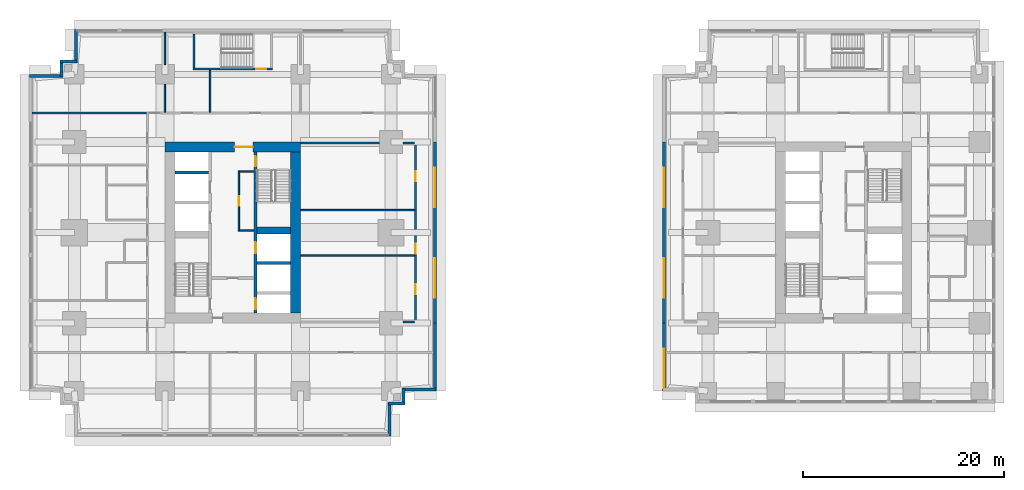
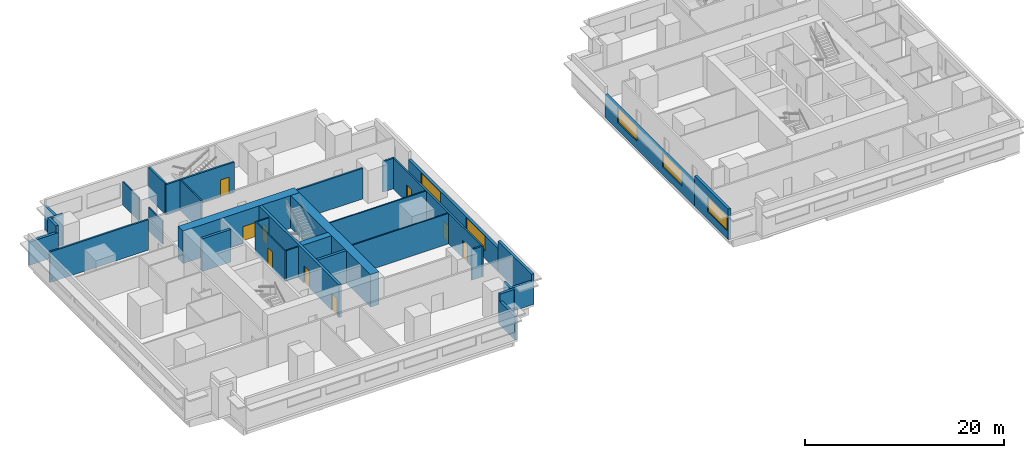
# One storey, part 4 of 11: 33 walls, 9 doors, 5 windows, 14 openings.
"""IFC4 building model written with IfcOpenShell, lengths in metres."""

from ifc_helpers import new_model, si_unit, direction, frame, frame_2d, origin, place, context, subcontext, project, spatial, rectangle, extrude, material, layer, layer_set, type_object, element, fill, save


model = new_model("IFC4")

# Units and contexts
model_context = context("Model", 3, precision=1e-05, world=origin(), true_north=direction((0.0, 1.0)))
body_context = subcontext(model_context, "Body", "Model", "MODEL_VIEW")
ifc_project = project(units=[si_unit("LENGTHUNIT", "METRE"), si_unit("AREAUNIT", "SQUARE_METRE"), si_unit("VOLUMEUNIT", "CUBIC_METRE"), si_unit("PLANEANGLEUNIT", "RADIAN"), si_unit("MASSUNIT", "GRAM", prefix="KILO")], contexts=[model_context])

# Site, building, storey
site_placement = place(None, origin())
site = spatial("IfcSite", under=ifc_project, at=site_placement, CompositionType="ELEMENT")
building_placement = place(site_placement, origin())
building = spatial("IfcBuilding", under=site, at=building_placement, Name="Namib Vertical Campus", CompositionType="ELEMENT")
storey_placement = place(building_placement, frame((0.0, 0.0, 101.0)))
storey = spatial("IfcBuildingStorey", under=building, at=storey_placement, Name="L23", CompositionType="ELEMENT", Elevation=101.0)

# Wall, openings, doors
ifc_material_1 = material(Name="Concrete C60/75", Category="concrete")
ifc_layer_1 = layer(ifc_material_1, 0.300048828125)
ifc_layer_set_1 = layer_set([ifc_layer_1], Name="Concrete C60/75")
wall_type_1 = type_object("IfcWallType", Name="Core inner wall 300", PredefinedType="SHEAR", material=ifc_layer_set_1)
wall_1_placement = place(storey_placement, frame((22.5, 12.25, 0.0), z_axis=(0.0, 0.0, 1.0), x_axis=(0.0, 1.0, 0.0)))
wall_1 = element("IfcWall", 1, at=wall_1_placement, inside=storey, type_object=wall_type_1, Name="Core inner wall A L23 W2", PredefinedType="SHEAR", context=body_context, shape_type="SweptSolid", body=[
    extrude(rectangle(XDim=16.0, YDim=0.300048828125, at=frame_2d((8.0, 0.0))), origin(), (0.0, 0.0, 1.0), 4.0),
])
opening_1_placement = place(wall_1_placement, frame((14.60009765625, 0.0, 0.0)))
opening_1 = element("IfcOpeningElement", 2, at=opening_1_placement, cuts=wall_1, Name="Opening FD1", PredefinedType="OPENING", context=body_context, shape_type="SweptSolid", body=[
    extrude(rectangle(XDim=1.0, YDim=2.10009765625, at=frame_2d((0.5, 1.050048828125))), frame((0.0, 0.159912109375, 0.0), z_axis=(0.0, -1.0, 0.0), x_axis=(1.0, 0.0, 0.0)), (0.0, 0.0, 1.0), 0.320068359375),
])
opening_2_placement = place(wall_1_placement, frame((0.375, 0.0, 0.0)))
opening_2 = element("IfcOpeningElement", 3, at=opening_2_placement, cuts=wall_1, Name="Opening LD1", PredefinedType="OPENING", context=body_context, shape_type="SweptSolid", body=[
    extrude(rectangle(XDim=1.10009765625, YDim=2.10009765625, at=frame_2d((0.550048828125, 1.050048828125))), frame((0.0, 0.159912109375, 0.0), z_axis=(0.0, -1.0, 0.0), x_axis=(1.0, 0.0, 0.0)), (0.0, 0.0, 1.0), 0.320068359375),
])
opening_3_placement = place(wall_1_placement, frame((5.949951171875, 0.0, 0.0)))
opening_3 = element("IfcOpeningElement", 4, at=opening_3_placement, cuts=wall_1, Name="Opening LD1", PredefinedType="OPENING", context=body_context, shape_type="SweptSolid", body=[
    extrude(rectangle(XDim=1.10009765625, YDim=2.10009765625, at=frame_2d((0.550048828125, 1.050048828125))), frame((0.0, 0.159912109375, 0.0), z_axis=(0.0, -1.0, 0.0), x_axis=(1.0, 0.0, 0.0)), (0.0, 0.0, 1.0), 0.320068359375),
])
ifc_material_2 = material(Name="Steel fire door", Category="steel")
door_type_1 = type_object("IfcDoorType", Name="Fire door 1000x2100", OperationType="SINGLE_SWING_RIGHT", PredefinedType="DOOR", material=ifc_material_2)
door_1_placement = place(opening_1_placement, frame((1.0, 0.0, 0.0), z_axis=(0.0, 0.0, 1.0), x_axis=(-1.0, 0.0, 0.0)))
door_1 = element("IfcDoor", 5, at=door_1_placement, inside=storey, type_object=door_type_1, Name="Stair door FD1 A L23 S2", OperationType="SINGLE_SWING_LEFT", OverallHeight=2.10009765625, OverallWidth=1.0, PredefinedType="DOOR", context=body_context, shape_type="SweptSolid", body=[
    extrude(rectangle(XDim=1.0, YDim=2.10009765625, at=frame_2d((0.5, 1.050048828125))), frame((0.0, 0.02490234375, 0.0), z_axis=(0.0, -1.0, 0.0), x_axis=(1.0, 0.0, 0.0)), (0.0, 0.0, 1.0), 0.050048828125),
])
fill(opening_1, door_1)
ifc_material_3 = material(Name="Stainless steel lift door", Category="steel")
door_type_2 = type_object("IfcDoorType", Name="Lift landing door 1100x2100", OperationType="DOUBLE_DOOR_SLIDING", PredefinedType="DOOR", material=ifc_material_3)
door_2_placement = place(opening_2_placement, origin())
door_2 = element("IfcDoor", 6, at=door_2_placement, inside=storey, type_object=door_type_2, Name="Lift landing door LD1 A-FL1 L23", OperationType="DOUBLE_DOOR_SLIDING", OverallHeight=2.10009765625, OverallWidth=1.10009765625, PredefinedType="DOOR", context=body_context, shape_type="SweptSolid", body=[
    extrude(rectangle(XDim=1.10009765625, YDim=2.10009765625, at=frame_2d((0.550048828125, 1.050048828125))), frame((0.0, 0.02490234375, 0.0), z_axis=(0.0, -1.0, 0.0), x_axis=(1.0, 0.0, 0.0)), (0.0, 0.0, 1.0), 0.050048828125),
])
fill(opening_2, door_2)
door_3_placement = place(opening_3_placement, origin())
door_3 = element("IfcDoor", 7, at=door_3_placement, inside=storey, type_object=door_type_2, Name="Lift landing door LD1 A-P5 L23", OperationType="DOUBLE_DOOR_SLIDING", OverallHeight=2.10009765625, OverallWidth=1.10009765625, PredefinedType="DOOR", context=body_context, shape_type="SweptSolid", body=[
    extrude(rectangle(XDim=1.10009765625, YDim=2.10009765625, at=frame_2d((0.550048828125, 1.050048828125))), frame((0.0, 0.02490234375, 0.0), z_axis=(0.0, -1.0, 0.0), x_axis=(1.0, 0.0, 0.0)), (0.0, 0.0, 1.0), 0.050048828125),
])
fill(opening_3, door_3)

# Walls
for number, where, z_axis, x_axis, name in (
    (8, (22.64990234375, 17.25, 0.0), (0.0, 0.0, 1.0), (1.0, 0.0, 0.0), "Core inner wall A L23 W6"),
    (9, (14.5, 26.25, 0.0), (0.0, 0.0, 1.0), (1.0, 0.0, 0.0), "Core inner wall A L23 W9"),
):
    element("IfcWall", number, at=place(storey_placement, frame(where, z_axis=z_axis, x_axis=x_axis)), inside=storey, type_object=wall_type_1, Name=name, PredefinedType="SHEAR", context=body_context, shape_type="SweptSolid", body=[
        extrude(rectangle(XDim=3.35009765625, YDim=0.300048828125, at=frame_2d((1.675048828125, 0.0))), origin(), (0.0, 0.0, 1.0), 4.0),
    ])
ifc_material_4 = material(Name="Concrete C60/75", Category="concrete")
ifc_layer_2 = layer(ifc_material_4, 0.699951171875)
ifc_layer_set_2 = layer_set([ifc_layer_2], Name="Concrete C60/75")
wall_type_2 = type_object("IfcWallType", Name="Core shear wall 700", PredefinedType="SHEAR", material=ifc_layer_set_2)
wall_2_placement = place(storey_placement, frame((22.64990234375, 20.449951171875, 0.0), z_axis=(0.0, 0.0, 1.0), x_axis=(1.0, 0.0, 0.0)))
element("IfcWall", 10, at=wall_2_placement, inside=storey, type_object=wall_type_2, Name="Core shear wall A L23 W7", PredefinedType="SHEAR", context=body_context, shape_type="SweptSolid", body=[
    extrude(rectangle(XDim=3.35009765625, YDim=0.699951171875, at=frame_2d((1.675048828125, 0.0))), origin(), (0.0, 0.0, 1.0), 4.0),
])
ifc_material_5 = material(Name="Concrete C60/75", Category="concrete")
ifc_layer_3 = layer(ifc_material_5, 1.0)
ifc_layer_set_3 = layer_set([ifc_layer_3], Name="Concrete C60/75")
wall_type_3 = type_object("IfcWallType", Name="Core wall 1000", PredefinedType="SHEAR", material=ifc_layer_set_3)
wall_3_placement = place(storey_placement, frame((26.5, 12.25, 0.0), z_axis=(0.0, 0.0, 1.0), x_axis=(0.0, 1.0, 0.0)))
element("IfcWall", 11, at=wall_3_placement, inside=storey, type_object=wall_type_3, Name="Core wall A L23 2", PredefinedType="SHEAR", context=body_context, shape_type="SweptSolid", body=[
    extrude(rectangle(XDim=16.0, YDim=1.0, at=frame_2d((8.0, 0.0))), origin(), (0.0, 0.0, 1.0), 4.0),
])

# Wall, opening, door
wall_4_placement = place(storey_placement, frame((27.0, 28.75, 0.0), z_axis=(0.0, 0.0, 1.0), x_axis=(-1.0, 0.0, 0.0)))
wall_4 = element("IfcWall", 12, at=wall_4_placement, inside=storey, type_object=wall_type_3, Name="Core wall A L23 3", PredefinedType="SHEAR", context=body_context, shape_type="SweptSolid", body=[
    extrude(rectangle(XDim=13.5, YDim=1.0, at=frame_2d((6.75, 0.0))), origin(), (0.0, 0.0, 1.0), 4.0),
])
opening_4_placement = place(wall_4_placement, frame((4.75, 0.0, 0.0)))
opening_4 = element("IfcOpeningElement", 13, at=opening_4_placement, cuts=wall_4, Name="Opening FD2", PredefinedType="OPENING", context=body_context, shape_type="SweptSolid", body=[
    extrude(rectangle(XDim=1.800048828125, YDim=2.10009765625, at=frame_2d((0.89990234375, 1.050048828125))), frame((0.0, 0.510009765625, 0.0), z_axis=(0.0, -1.0, 0.0), x_axis=(1.0, 0.0, 0.0)), (0.0, 0.0, 1.0), 1.02001953125),
])
ifc_material_6 = material(Name="Steel fire door", Category="steel")
door_type_3 = type_object("IfcDoorType", Name="Fire door double 1800x2100", OperationType="DOUBLE_DOOR_SINGLE_SWING", PredefinedType="DOOR", material=ifc_material_6)
door_4_placement = place(opening_4_placement, origin())
door_4 = element("IfcDoor", 14, at=door_4_placement, inside=storey, type_object=door_type_3, Name="Lift lobby door FD2 A L23", OperationType="DOUBLE_DOOR_SINGLE_SWING", OverallHeight=2.10009765625, OverallWidth=1.800048828125, PredefinedType="DOOR", context=body_context, shape_type="SweptSolid", body=[
    extrude(rectangle(XDim=1.800048828125, YDim=2.10009765625, at=frame_2d((0.89990234375, 1.050048828125))), frame((0.0, 0.02490234375, 0.0), z_axis=(0.0, -1.0, 0.0), x_axis=(1.0, 0.0, 0.0)), (0.0, 0.0, 1.0), 0.050048828125),
])
fill(opening_4, door_4)

# Wall, openings, doors
ifc_material_7 = material(Name="Concrete masonry", Category="masonry")
ifc_layer_4 = layer(ifc_material_7, 0.199951171875)
ifc_layer_set_4 = layer_set([ifc_layer_4], Name="Corridor wall 200")
wall_type_4 = type_object("IfcWallType", Name="Corridor wall 200", PredefinedType="SOLIDWALL", material=ifc_layer_set_4)
wall_5_placement = place(storey_placement, frame((38.449951171875, 11.25, 0.0), z_axis=(0.0, 0.0, 1.0), x_axis=(0.0, 1.0, 0.0)))
wall_5 = element("IfcWall", 15, at=wall_5_placement, inside=storey, type_object=wall_type_4, Name="Corridor wall A L23 CG", PredefinedType="SOLIDWALL", context=body_context, shape_type="SweptSolid", body=[
    extrude(rectangle(XDim=18.0, YDim=0.199951171875, at=frame_2d((9.0, 0.0))), origin(), (0.0, 0.0, 1.0), 3.75),
])
opening_5_placement = place(wall_5_placement, frame((2.875, 0.0, 0.0)))
opening_5 = element("IfcOpeningElement", 16, at=opening_5_placement, cuts=wall_5, Name="Opening CD1", PredefinedType="OPENING", context=body_context, shape_type="SweptSolid", body=[
    extrude(rectangle(XDim=1.0, YDim=2.10009765625, at=frame_2d((0.5, 1.050048828125))), frame((0.0, 0.10986328125, 0.0), z_axis=(0.0, -1.0, 0.0), x_axis=(1.0, 0.0, 0.0)), (0.0, 0.0, 1.0), 0.219970703125),
])
opening_6_placement = place(wall_5_placement, frame((6.89990234375, 0.0, 0.0)))
opening_6 = element("IfcOpeningElement", 17, at=opening_6_placement, cuts=wall_5, Name="Opening CD1", PredefinedType="OPENING", context=body_context, shape_type="SweptSolid", body=[
    extrude(rectangle(XDim=1.0, YDim=2.10009765625, at=frame_2d((0.5, 1.050048828125))), frame((0.0, 0.10986328125, 0.0), z_axis=(0.0, -1.0, 0.0), x_axis=(1.0, 0.0, 0.0)), (0.0, 0.0, 1.0), 0.219970703125),
])
opening_7_placement = place(wall_5_placement, frame((14.125, 0.0, 0.0)))
opening_7 = element("IfcOpeningElement", 18, at=opening_7_placement, cuts=wall_5, Name="Opening CD1", PredefinedType="OPENING", context=body_context, shape_type="SweptSolid", body=[
    extrude(rectangle(XDim=1.0, YDim=2.10009765625, at=frame_2d((0.5, 1.050048828125))), frame((0.0, 0.10986328125, 0.0), z_axis=(0.0, -1.0, 0.0), x_axis=(1.0, 0.0, 0.0)), (0.0, 0.0, 1.0), 0.219970703125),
])
ifc_material_8 = material(Name="Timber fire door leaf", Category="wood")
door_type_4 = type_object("IfcDoorType", Name="Corridor door 1000x2100 20 min", OperationType="SINGLE_SWING_LEFT", PredefinedType="DOOR", material=ifc_material_8)
door_5_placement = place(opening_5_placement, origin())
door_5 = element("IfcDoor", 19, at=door_5_placement, inside=storey, type_object=door_type_4, Name="Door CD1 A23-04", OperationType="SINGLE_SWING_LEFT", OverallHeight=2.10009765625, OverallWidth=1.0, PredefinedType="DOOR", context=body_context, shape_type="SweptSolid", body=[
    extrude(rectangle(XDim=1.0, YDim=2.10009765625, at=frame_2d((0.5, 1.050048828125))), frame((0.0, 0.02490234375, 0.0), z_axis=(0.0, -1.0, 0.0), x_axis=(1.0, 0.0, 0.0)), (0.0, 0.0, 1.0), 0.050048828125),
])
fill(opening_5, door_5)
door_6_placement = place(opening_6_placement, origin())
door_6 = element("IfcDoor", 20, at=door_6_placement, inside=storey, type_object=door_type_4, Name="Door CD1 A23-05", OperationType="SINGLE_SWING_LEFT", OverallHeight=2.10009765625, OverallWidth=1.0, PredefinedType="DOOR", context=body_context, shape_type="SweptSolid", body=[
    extrude(rectangle(XDim=1.0, YDim=2.10009765625, at=frame_2d((0.5, 1.050048828125))), frame((0.0, 0.02490234375, 0.0), z_axis=(0.0, -1.0, 0.0), x_axis=(1.0, 0.0, 0.0)), (0.0, 0.0, 1.0), 0.050048828125),
])
fill(opening_6, door_6)
door_7_placement = place(opening_7_placement, origin())
door_7 = element("IfcDoor", 21, at=door_7_placement, inside=storey, type_object=door_type_4, Name="Door CD1 A23-06", OperationType="SINGLE_SWING_LEFT", OverallHeight=2.10009765625, OverallWidth=1.0, PredefinedType="DOOR", context=body_context, shape_type="SweptSolid", body=[
    extrude(rectangle(XDim=1.0, YDim=2.10009765625, at=frame_2d((0.5, 1.050048828125))), frame((0.0, 0.02490234375, 0.0), z_axis=(0.0, -1.0, 0.0), x_axis=(1.0, 0.0, 0.0)), (0.0, 0.0, 1.0), 0.050048828125),
])
fill(opening_7, door_7)

# Walls
wall_6_placement = place(storey_placement, frame((37.169921875, 11.35009765625, 0.0), z_axis=(0.0, 0.0, 1.0), x_axis=(1.0, 0.0, 0.0)))
element("IfcWall", 22, at=wall_6_placement, inside=storey, type_object=wall_type_4, Name="Corridor wall A L23 GS", PredefinedType="SOLIDWALL", context=body_context, shape_type="SweptSolid", body=[
    extrude(rectangle(XDim=1.18017578125, YDim=0.199951171875, at=frame_2d((0.590087890625, 0.0))), origin(), (0.0, 0.0, 1.0), 3.75),
])
wall_7_placement = place(storey_placement, frame((27.0, 29.14990234375, 0.0), z_axis=(0.0, 0.0, 1.0), x_axis=(1.0, 0.0, 0.0)))
element("IfcWall", 23, at=wall_7_placement, inside=storey, type_object=wall_type_4, Name="Corridor wall A L23 GN", PredefinedType="SOLIDWALL", context=body_context, shape_type="SweptSolid", body=[
    extrude(rectangle(XDim=7.830078125, YDim=0.199951171875, at=frame_2d((3.9150390625, 0.0))), origin(), (0.0, 0.0, 1.0), 3.75),
])
wall_8_placement = place(storey_placement, frame((37.169921875, 29.14990234375, 0.0), z_axis=(0.0, 0.0, 1.0), x_axis=(1.0, 0.0, 0.0)))
element("IfcWall", 24, at=wall_8_placement, inside=storey, type_object=wall_type_4, Name="Corridor wall A L23 GN", PredefinedType="SOLIDWALL", context=body_context, shape_type="SweptSolid", body=[
    extrude(rectangle(XDim=1.18017578125, YDim=0.199951171875, at=frame_2d((0.590087890625, 0.0))), origin(), (0.0, 0.0, 1.0), 3.75),
])
wall_9_placement = place(storey_placement, frame((0.300048828125, 32.14990234375, 0.0), z_axis=(0.0, 0.0, 1.0), x_axis=(1.0, 0.0, 0.0)))
element("IfcWall", 25, at=wall_9_placement, inside=storey, type_object=wall_type_4, Name="Partition A L23 BNW", PredefinedType="SOLIDWALL", context=body_context, shape_type="SweptSolid", body=[
    extrude(rectangle(XDim=11.39990234375, YDim=0.199951171875, at=frame_2d((5.699951171875, 0.0))), origin(), (0.0, 0.0, 1.0), 3.75),
])
ifc_material_9 = material(Name="Concrete C40/50", Category="concrete")
ifc_layer_5 = layer(ifc_material_9, 0.300048828125)
ifc_layer_set_5 = layer_set([ifc_layer_5], Name="Concrete C40/50")
wall_type_5 = type_object("IfcWallType", Name="External wall 300 board-marked concrete", PredefinedType="STANDARD", material=ifc_layer_set_5)
wall_10_placement = place(storey_placement, frame((35.85009765625, 0.02001953125, 0.0), z_axis=(0.0, 0.0, 1.0), x_axis=(0.0, 1.0, 0.0)))
element("IfcWall", 26, at=wall_10_placement, inside=storey, type_object=wall_type_5, Name="External wall L23 F02", PredefinedType="STANDARD", context=body_context, shape_type="SweptSolid", body=[
    extrude(rectangle(XDim=3.35986328125, YDim=0.300048828125, at=frame_2d((1.679931640625, 0.0))), origin(), (0.0, 0.0, 1.0), 2.85009765625),
])
for number, where, z_axis, x_axis, name in (
    (27, (35.719970703125, 3.25, 0.0), (0.0, 0.0, 1.0), (1.0, 0.0, 0.0), "External wall L23 F03"),
    (28, (37.25, 3.1201171875, 0.0), (0.0, 0.0, 1.0), (0.0, 1.0, 0.0), "External wall L23 F04"),
):
    element("IfcWall", number, at=place(storey_placement, frame(where, z_axis=z_axis, x_axis=x_axis)), inside=storey, type_object=wall_type_5, Name=name, PredefinedType="STANDARD", context=body_context, shape_type="SweptSolid", body=[
        extrude(rectangle(XDim=1.659912109375, YDim=0.300048828125, at=frame_2d((0.830078125, 0.0))), origin(), (0.0, 0.0, 1.0), 3.75),
    ])
wall_11_placement = place(storey_placement, frame((37.1201171875, 4.64990234375, 0.0), z_axis=(0.0, 0.0, 1.0), x_axis=(1.0, 0.0, 0.0)))
element("IfcWall", 29, at=wall_11_placement, inside=storey, type_object=wall_type_5, Name="External wall L23 F05", PredefinedType="STANDARD", context=body_context, shape_type="SweptSolid", body=[
    extrude(rectangle(XDim=3.35986328125, YDim=0.300048828125, at=frame_2d((1.679931640625, 0.0))), origin(), (0.0, 0.0, 1.0), 2.85009765625),
])
wall_12_placement = place(storey_placement, frame((40.35009765625, 4.52001953125, 0.0), z_axis=(0.0, 0.0, 1.0), x_axis=(0.0, 1.0, 0.0)))
element("IfcWall", 30, at=wall_12_placement, inside=storey, type_object=wall_type_5, Name="External wall L23 F06", PredefinedType="STANDARD", context=body_context, shape_type="SweptSolid", body=[
    extrude(rectangle(XDim=6.72998046875, YDim=0.300048828125, at=frame_2d((3.364990234375, 0.0))), origin(), (0.0, 0.0, 1.0), 3.75),
])
wall_13_placement = place(storey_placement, frame((4.64990234375, 40.47998046875, 0.0), z_axis=(0.0, 0.0, 1.0), x_axis=(0.0, -1.0, 0.0)))
element("IfcWall", 31, at=wall_13_placement, inside=storey, type_object=wall_type_5, Name="External wall L23 F12", PredefinedType="STANDARD", context=body_context, shape_type="SweptSolid", body=[
    extrude(rectangle(XDim=3.35986328125, YDim=0.300048828125, at=frame_2d((1.679931640625, 0.0))), origin(), (0.0, 0.0, 1.0), 2.85009765625),
])
for number, where, z_axis, x_axis, name in (
    (32, (4.780029296875, 37.25, 0.0), (0.0, 0.0, 1.0), (-1.0, 0.0, 0.0), "External wall L23 F13"),
    (33, (3.25, 37.3798828125, 0.0), (0.0, 0.0, 1.0), (0.0, -1.0, 0.0), "External wall L23 F14"),
):
    element("IfcWall", number, at=place(storey_placement, frame(where, z_axis=z_axis, x_axis=x_axis)), inside=storey, type_object=wall_type_5, Name=name, PredefinedType="STANDARD", context=body_context, shape_type="SweptSolid", body=[
        extrude(rectangle(XDim=1.659912109375, YDim=0.300048828125, at=frame_2d((0.830078125, 0.0))), origin(), (0.0, 0.0, 1.0), 3.75),
    ])
wall_14_placement = place(storey_placement, frame((3.3798828125, 35.85009765625, 0.0), z_axis=(0.0, 0.0, 1.0), x_axis=(-1.0, 0.0, 0.0)))
element("IfcWall", 34, at=wall_14_placement, inside=storey, type_object=wall_type_5, Name="External wall L23 F15", PredefinedType="STANDARD", context=body_context, shape_type="SweptSolid", body=[
    extrude(rectangle(XDim=3.35986328125, YDim=0.300048828125, at=frame_2d((1.679931640625, 0.0))), origin(), (0.0, 0.0, 1.0), 2.85009765625),
])

# Wall, openings, windows
wall_15_placement = place(storey_placement, frame((40.35009765625, 11.25, 0.0), z_axis=(0.0, 0.0, 1.0), x_axis=(0.0, 1.0, 0.0)))
wall_15 = element("IfcWall", 35, at=wall_15_placement, inside=storey, type_object=wall_type_5, Name="External wall L23 F06", PredefinedType="STANDARD", context=body_context, shape_type="SweptSolid", body=[
    extrude(rectangle(XDim=18.0, YDim=0.300048828125, at=frame_2d((9.0, 0.0))), origin(), (0.0, 0.0, 1.0), 2.82958984375),
])
opening_8_placement = place(wall_15_placement, frame((2.550048828125, 0.0, 0.949951171875)))
opening_8 = element("IfcOpeningElement", 36, at=opening_8_placement, cuts=wall_15, Name="Opening W3", PredefinedType="OPENING", context=body_context, shape_type="SweptSolid", body=[
    extrude(rectangle(XDim=3.89990234375, YDim=1.800048828125, at=frame_2d((1.949951171875, 0.89990234375))), frame((0.0, 0.159912109375, 0.0), z_axis=(0.0, -1.0, 0.0), x_axis=(1.0, 0.0, 0.0)), (0.0, 0.0, 1.0), 0.320068359375),
])
opening_9_placement = place(wall_15_placement, frame((11.550048828125, 0.0, 0.949951171875)))
opening_9 = element("IfcOpeningElement", 37, at=opening_9_placement, cuts=wall_15, Name="Opening W3", PredefinedType="OPENING", context=body_context, shape_type="SweptSolid", body=[
    extrude(rectangle(XDim=3.89990234375, YDim=1.800048828125, at=frame_2d((1.949951171875, 0.89990234375))), frame((0.0, 0.159912109375, 0.0), z_axis=(0.0, -1.0, 0.0), x_axis=(1.0, 0.0, 0.0)), (0.0, 0.0, 1.0), 0.320068359375),
])
ifc_material_10 = material(Name="Dark tinted glass in black aluminium frame", Category="aluminium")
window_type = type_object("IfcWindowType", Name="Ribbon window 3900x1800", PartitioningType="SINGLE_PANEL", PredefinedType="WINDOW", material=ifc_material_10)
window_1_placement = place(opening_8_placement, origin())
window_1 = element("IfcWindow", 38, at=window_1_placement, inside=storey, type_object=window_type, Name="Window W3 L23 F06-3", OverallHeight=1.800048828125, OverallWidth=3.89990234375, PartitioningType="SINGLE_PANEL", PredefinedType="WINDOW", context=body_context, shape_type="SweptSolid", body=[
    extrude(rectangle(XDim=3.89990234375, YDim=1.800048828125, at=frame_2d((1.949951171875, 0.89990234375))), frame((0.0, 0.030029296875, 0.0), z_axis=(0.0, -1.0, 0.0), x_axis=(1.0, 0.0, 0.0)), (0.0, 0.0, 1.0), 0.06005859375),
])
fill(opening_8, window_1)
window_2_placement = place(opening_9_placement, origin())
window_2 = element("IfcWindow", 39, at=window_2_placement, inside=storey, type_object=window_type, Name="Window W3 L23 F06-5", OverallHeight=1.800048828125, OverallWidth=3.89990234375, PartitioningType="SINGLE_PANEL", PredefinedType="WINDOW", context=body_context, shape_type="SweptSolid", body=[
    extrude(rectangle(XDim=3.89990234375, YDim=1.800048828125, at=frame_2d((1.949951171875, 0.89990234375))), frame((0.0, 0.030029296875, 0.0), z_axis=(0.0, -1.0, 0.0), x_axis=(1.0, 0.0, 0.0)), (0.0, 0.0, 1.0), 0.06005859375),
])
fill(opening_9, window_2)

wall_16_placement = place(storey_placement, frame((63.14990234375, 29.25, 0.0), z_axis=(0.0, 0.0, 1.0), x_axis=(0.0, -1.0, 0.0)))
wall_16 = element("IfcWall", 40, at=wall_16_placement, inside=storey, type_object=wall_type_5, Name="External wall L23 F12", PredefinedType="STANDARD", context=body_context, shape_type="SweptSolid", body=[
    extrude(rectangle(XDim=18.0, YDim=0.300048828125, at=frame_2d((9.0, 0.0))), origin(), (0.0, 0.0, 1.0), 2.82958984375),
])
opening_10_placement = place(wall_16_placement, frame((11.550048828125, 0.0, 0.949951171875)))
opening_10 = element("IfcOpeningElement", 41, at=opening_10_placement, cuts=wall_16, Name="Opening W3", PredefinedType="OPENING", context=body_context, shape_type="SweptSolid", body=[
    extrude(rectangle(XDim=3.89990234375, YDim=1.800048828125, at=frame_2d((1.949951171875, 0.89990234375))), frame((0.0, 0.159912109375, 0.0), z_axis=(0.0, -1.0, 0.0), x_axis=(1.0, 0.0, 0.0)), (0.0, 0.0, 1.0), 0.320068359375),
])
opening_11_placement = place(wall_16_placement, frame((2.550048828125, 0.0, 0.949951171875)))
opening_11 = element("IfcOpeningElement", 42, at=opening_11_placement, cuts=wall_16, Name="Opening W3", PredefinedType="OPENING", context=body_context, shape_type="SweptSolid", body=[
    extrude(rectangle(XDim=3.89990234375, YDim=1.800048828125, at=frame_2d((1.949951171875, 0.89990234375))), frame((0.0, 0.159912109375, 0.0), z_axis=(0.0, -1.0, 0.0), x_axis=(1.0, 0.0, 0.0)), (0.0, 0.0, 1.0), 0.320068359375),
])
window_3_placement = place(opening_10_placement, origin())
window_3 = element("IfcWindow", 43, at=window_3_placement, inside=storey, type_object=window_type, Name="Window W3 L23 F12-3", OverallHeight=1.800048828125, OverallWidth=3.89990234375, PartitioningType="SINGLE_PANEL", PredefinedType="WINDOW", context=body_context, shape_type="SweptSolid", body=[
    extrude(rectangle(XDim=3.89990234375, YDim=1.800048828125, at=frame_2d((1.949951171875, 0.89990234375))), frame((0.0, 0.030029296875, 0.0), z_axis=(0.0, -1.0, 0.0), x_axis=(1.0, 0.0, 0.0)), (0.0, 0.0, 1.0), 0.06005859375),
])
fill(opening_10, window_3)
window_4_placement = place(opening_11_placement, origin())
window_4 = element("IfcWindow", 44, at=window_4_placement, inside=storey, type_object=window_type, Name="Window W3 L23 F12-5", OverallHeight=1.800048828125, OverallWidth=3.89990234375, PartitioningType="SINGLE_PANEL", PredefinedType="WINDOW", context=body_context, shape_type="SweptSolid", body=[
    extrude(rectangle(XDim=3.89990234375, YDim=1.800048828125, at=frame_2d((1.949951171875, 0.89990234375))), frame((0.0, 0.030029296875, 0.0), z_axis=(0.0, -1.0, 0.0), x_axis=(1.0, 0.0, 0.0)), (0.0, 0.0, 1.0), 0.06005859375),
])
fill(opening_11, window_4)

# Wall, opening, window
wall_17_placement = place(storey_placement, frame((63.14990234375, 11.25, 0.0), z_axis=(0.0, 0.0, 1.0), x_axis=(0.0, -1.0, 0.0)))
wall_17 = element("IfcWall", 45, at=wall_17_placement, inside=storey, type_object=wall_type_5, Name="External wall L23 F12", PredefinedType="STANDARD", context=body_context, shape_type="SweptSolid", body=[
    extrude(rectangle(XDim=6.72998046875, YDim=0.300048828125, at=frame_2d((3.364990234375, 0.0))), origin(), (0.0, 0.0, 1.0), 3.75),
])
opening_12_placement = place(wall_17_placement, frame((2.550048828125, 0.0, 0.949951171875)))
opening_12 = element("IfcOpeningElement", 46, at=opening_12_placement, cuts=wall_17, Name="Opening W3", PredefinedType="OPENING", context=body_context, shape_type="SweptSolid", body=[
    extrude(rectangle(XDim=3.89990234375, YDim=1.800048828125, at=frame_2d((1.949951171875, 0.89990234375))), frame((0.0, 0.159912109375, 0.0), z_axis=(0.0, -1.0, 0.0), x_axis=(1.0, 0.0, 0.0)), (0.0, 0.0, 1.0), 0.320068359375),
])
window_5_placement = place(opening_12_placement, origin())
window_5 = element("IfcWindow", 47, at=window_5_placement, inside=storey, type_object=window_type, Name="Window W3 L23 F12-1", OverallHeight=1.800048828125, OverallWidth=3.89990234375, PartitioningType="SINGLE_PANEL", PredefinedType="WINDOW", context=body_context, shape_type="SweptSolid", body=[
    extrude(rectangle(XDim=3.89990234375, YDim=1.800048828125, at=frame_2d((1.949951171875, 0.89990234375))), frame((0.0, 0.030029296875, 0.0), z_axis=(0.0, -1.0, 0.0), x_axis=(1.0, 0.0, 0.0)), (0.0, 0.0, 1.0), 0.06005859375),
])
fill(opening_12, window_5)

# Wall, opening, door
ifc_material_11 = material(Name="Gypsum board on steel studs", Category="steel")
ifc_layer_6 = layer(ifc_material_11, 0.14990234375)
ifc_layer_set_6 = layer_set([ifc_layer_6], Name="Gypsum board on steel studs")
wall_type_6 = type_object("IfcWallType", Name="Partition 150", PredefinedType="PARTITIONING", material=ifc_layer_set_6)
wall_18_placement = place(storey_placement, frame((20.875, 20.39990234375, 0.0), z_axis=(0.0, 0.0, 1.0), x_axis=(0.0, 1.0, 0.0)))
wall_18 = element("IfcWall", 48, at=wall_18_placement, inside=storey, type_object=wall_type_6, Name="Partition A L23 Store front", PredefinedType="PARTITIONING", context=body_context, shape_type="SweptSolid", body=[
    extrude(rectangle(XDim=6.0, YDim=0.14990234375, at=frame_2d((3.0, 0.0))), origin(), (0.0, 0.0, 1.0), 3.75),
])
opening_13_placement = place(wall_18_placement, frame((2.550048828125, 0.0, 0.0)))
opening_13 = element("IfcOpeningElement", 49, at=opening_13_placement, cuts=wall_18, Name="Opening D3", PredefinedType="OPENING", context=body_context, shape_type="SweptSolid", body=[
    extrude(rectangle(XDim=0.89990234375, YDim=2.10009765625, at=frame_2d((0.449951171875, 1.050048828125))), frame((0.0, 0.0849609375, 0.0), z_axis=(0.0, -1.0, 0.0), x_axis=(1.0, 0.0, 0.0)), (0.0, 0.0, 1.0), 0.169921875),
])
ifc_material_12 = material(Name="Timber door leaf", Category="wood")
door_type_5 = type_object("IfcDoorType", Name="Toilet door 900x2100", OperationType="SINGLE_SWING_LEFT", PredefinedType="DOOR", material=ifc_material_12)
door_8_placement = place(opening_13_placement, frame((0.89990234375, 0.0, 0.0), z_axis=(0.0, 0.0, 1.0), x_axis=(-1.0, 0.0, 0.0)))
door_8 = element("IfcDoor", 50, at=door_8_placement, inside=storey, type_object=door_type_5, Name="Door D3 Store A L23", OperationType="SINGLE_SWING_RIGHT", OverallHeight=2.10009765625, OverallWidth=0.89990234375, PredefinedType="DOOR", context=body_context, shape_type="SweptSolid", body=[
    extrude(rectangle(XDim=0.89990234375, YDim=2.10009765625, at=frame_2d((0.449951171875, 1.050048828125))), frame((0.0, 0.02490234375, 0.0), z_axis=(0.0, -1.0, 0.0), x_axis=(1.0, 0.0, 0.0)), (0.0, 0.0, 1.0), 0.050048828125),
])
fill(opening_13, door_8)

# Walls
for number, where, z_axis, x_axis, name in (
    (51, (20.949951171875, 20.47509765625, 0.0), (0.0, 0.0, 1.0), (1.0, 0.0, 0.0), "Partition A L23 Store end 1"),
    (52, (20.949951171875, 26.324951171875, 0.0), (0.0, 0.0, 1.0), (1.0, 0.0, 0.0), "Partition A L23 Store end 2"),
):
    element("IfcWall", number, at=place(storey_placement, frame(where, z_axis=z_axis, x_axis=x_axis)), inside=storey, type_object=wall_type_6, Name=name, PredefinedType="PARTITIONING", context=body_context, shape_type="SweptSolid", body=[
        extrude(rectangle(XDim=1.400146484375, YDim=0.14990234375, at=frame_2d((0.7001953125, 0.0))), origin(), (0.0, 0.0, 1.0), 3.75),
    ])
wall_19_placement = place(storey_placement, frame((13.5, 32.25, 0.0), z_axis=(0.0, 0.0, 1.0), x_axis=(0.0, 1.0, 0.0)))
element("IfcWall", 53, at=wall_19_placement, inside=storey, type_object=wall_type_6, Name="Partition A L23 PN1", PredefinedType="PARTITIONING", context=body_context, shape_type="SweptSolid", body=[
    extrude(rectangle(XDim=2.780029296875, YDim=0.14990234375, at=frame_2d((1.39013671875, 0.0))), origin(), (0.0, 0.0, 1.0), 2.85009765625),
])
wall_20_placement = place(storey_placement, frame((13.5, 36.969970703125, 0.0), z_axis=(0.0, 0.0, 1.0), x_axis=(0.0, 1.0, 0.0)))
element("IfcWall", 54, at=wall_20_placement, inside=storey, type_object=wall_type_6, Name="Partition A L23 PN1", PredefinedType="PARTITIONING", context=body_context, shape_type="SweptSolid", body=[
    extrude(rectangle(XDim=3.22998046875, YDim=0.14990234375, at=frame_2d((1.614990234375, 0.0))), origin(), (0.0, 0.0, 1.0), 2.85009765625),
])
wall_21_placement = place(storey_placement, frame((18.0, 32.25, 0.0), z_axis=(0.0, 0.0, 1.0), x_axis=(0.0, 1.0, 0.0)))
element("IfcWall", 55, at=wall_21_placement, inside=storey, type_object=wall_type_6, Name="Partition A L23 PN2", PredefinedType="PARTITIONING", context=body_context, shape_type="SweptSolid", body=[
    extrude(rectangle(XDim=4.199951171875, YDim=0.14990234375, at=frame_2d((2.10009765625, 0.0))), origin(), (0.0, 0.0, 1.0), 3.75),
])
for number, where, z_axis, x_axis, name in (
    (56, (27.0, 18.0, 0.0), (0.0, 0.0, 1.0), (1.0, 0.0, 0.0), "Partition A L23 PE1"),
    (57, (27.0, 22.5, 0.0), (0.0, 0.0, 1.0), (1.0, 0.0, 0.0), "Partition A L23 PE2"),
):
    element("IfcWall", number, at=place(storey_placement, frame(where, z_axis=z_axis, x_axis=x_axis)), inside=storey, type_object=wall_type_6, Name=name, PredefinedType="PARTITIONING", context=body_context, shape_type="SweptSolid", body=[
        extrude(rectangle(XDim=11.35009765625, YDim=0.14990234375, at=frame_2d((5.675048828125, 0.0))), origin(), (0.0, 0.0, 1.0), 3.75),
    ])

# Wall, opening, door
ifc_material_13 = material(Name="Concrete C40/50", Category="concrete")
ifc_layer_7 = layer(ifc_material_13, 0.199951171875)
ifc_layer_set_7 = layer_set([ifc_layer_7], Name="Concrete C40/50")
wall_type_7 = type_object("IfcWallType", Name="Stair enclosure wall RC 200", PredefinedType="SOLIDWALL", material=ifc_layer_set_7)
wall_22_placement = place(storey_placement, frame((16.300048828125, 36.550048828125, 0.0), z_axis=(0.0, 0.0, 1.0), x_axis=(1.0, 0.0, 0.0)))
wall_22 = element("IfcWall", 58, at=wall_22_placement, inside=storey, type_object=wall_type_7, Name="Stair enclosure wall A-S3 L23 S", PredefinedType="SOLIDWALL", context=body_context, shape_type="SweptSolid", body=[
    extrude(rectangle(XDim=7.89990234375, YDim=0.199951171875, at=frame_2d((3.949951171875, 0.0))), origin(), (0.0, 0.0, 1.0), 3.75),
])
opening_14_placement = place(wall_22_placement, frame((6.300048828125, 0.0, 0.0)))
opening_14 = element("IfcOpeningElement", 59, at=opening_14_placement, cuts=wall_22, Name="Opening FD1", PredefinedType="OPENING", context=body_context, shape_type="SweptSolid", body=[
    extrude(rectangle(XDim=1.0, YDim=2.10009765625, at=frame_2d((0.5, 1.050048828125))), frame((0.0, 0.10986328125, 0.0), z_axis=(0.0, -1.0, 0.0), x_axis=(1.0, 0.0, 0.0)), (0.0, 0.0, 1.0), 0.219970703125),
])
door_9_placement = place(opening_14_placement, origin())
door_9 = element("IfcDoor", 60, at=door_9_placement, inside=storey, type_object=door_type_1, Name="Stair door FD1 A L23 S3", OperationType="SINGLE_SWING_RIGHT", OverallHeight=2.10009765625, OverallWidth=1.0, PredefinedType="DOOR", context=body_context, shape_type="SweptSolid", body=[
    extrude(rectangle(XDim=1.0, YDim=2.10009765625, at=frame_2d((0.5, 1.050048828125))), frame((0.0, 0.02490234375, 0.0), z_axis=(0.0, -1.0, 0.0), x_axis=(1.0, 0.0, 0.0)), (0.0, 0.0, 1.0), 0.050048828125),
])
fill(opening_14, door_9)

# Wall
wall_23_placement = place(storey_placement, frame((16.39990234375, 36.64990234375, 0.0), z_axis=(0.0, 0.0, 1.0), x_axis=(0.0, 1.0, 0.0)))
element("IfcWall", 61, at=wall_23_placement, inside=storey, type_object=wall_type_7, Name="Stair enclosure wall A-S3 L23 W", PredefinedType="SOLIDWALL", context=body_context, shape_type="SweptSolid", body=[
    extrude(rectangle(XDim=3.35009765625, YDim=0.199951171875, at=frame_2d((1.675048828125, 0.0))), origin(), (0.0, 0.0, 1.0), 3.75),
])

save(model, "model.ifc")
